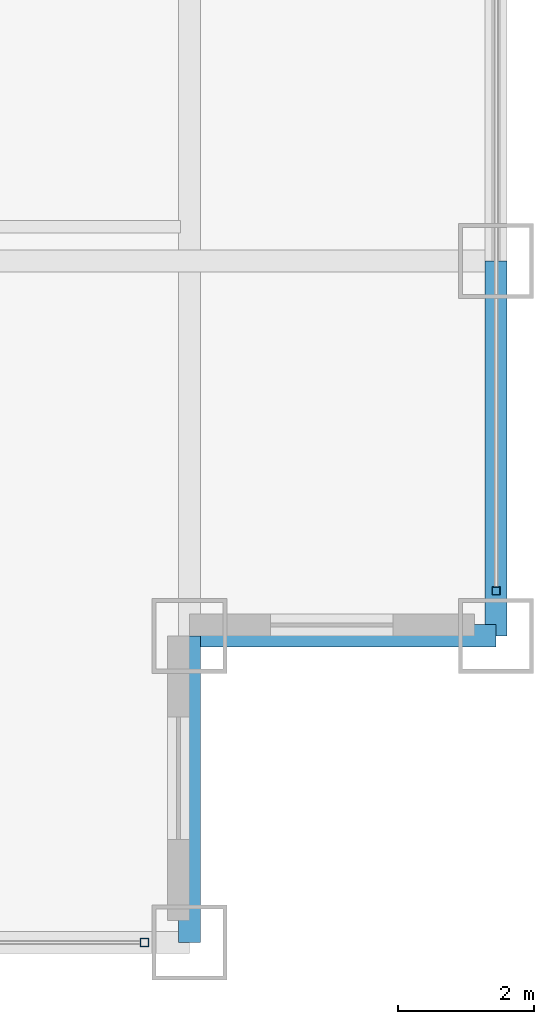
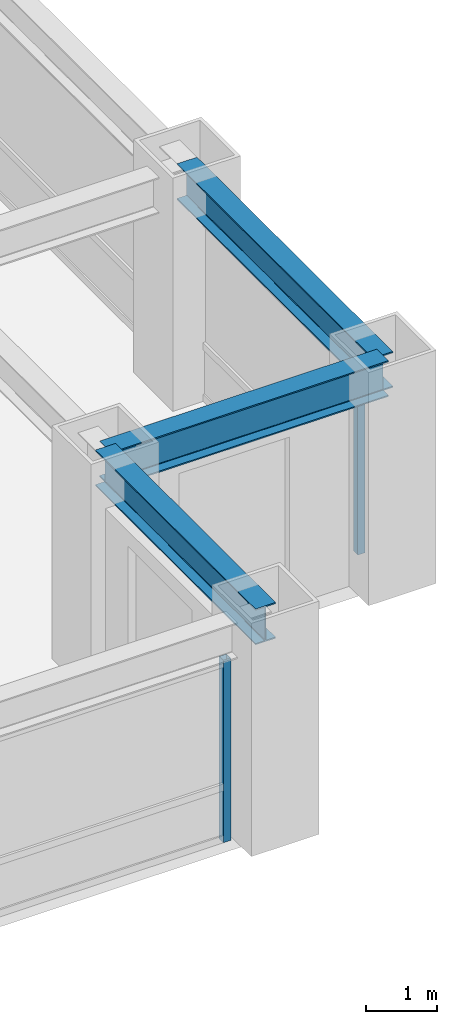
# One storey, part 8 of 24: 3 beams, 2 members, 2 elements without a shape of their own.
"""IFC4 building model written with IfcOpenShell, lengths in metres."""

from ifc_helpers import new_model, si_unit, direction, frame, origin, origin_2d, place, context, subcontext, project, spatial, hollow_rectangle, i_section, extrude, source, transform, mapped, material, material_profile, profile_set, type_object, element, aggregate, save


model = new_model("IFC4")

# Units and contexts
model_context = context("Model", 3, precision=1e-05, world=origin(), true_north=direction((0.0, 1.0)))
body_context = subcontext(model_context, "Body", "Model", "MODEL_VIEW")
ifc_project = project(units=[si_unit("LENGTHUNIT", "METRE"), si_unit("AREAUNIT", "SQUARE_METRE"), si_unit("VOLUMEUNIT", "CUBIC_METRE"), si_unit("PLANEANGLEUNIT", "RADIAN"), si_unit("MASSUNIT", "GRAM", prefix="KILO")], contexts=[model_context])

# Site, building, storey
site_placement = place(None, origin())
site = spatial("IfcSite", under=ifc_project, at=site_placement, CompositionType="ELEMENT")
building_placement = place(site_placement, origin())
building = spatial("IfcBuilding", under=site, at=building_placement, Name="Khorayat Bourse Tower", CompositionType="ELEMENT")
storey_placement = place(building_placement, frame((0.0, 0.0, 163.10009765625)))
storey = spatial("IfcBuildingStorey", under=building, at=storey_placement, Name="L37", CompositionType="ELEMENT", Elevation=163.10009765625)

# Beams
ifc_material_1 = material(Name="Steel ASTM A992 Grade 50", Category="steel")
ifc_material_profile_1 = material_profile(ifc_material_1, i_section(OverallWidth=0.324951171875, OverallDepth=0.615966796875, WebThickness=0.013916015625, FlangeThickness=0.021484375, FilletRadius=0.01611328125, at=origin_2d()), Name="W610X174")
ifc_profile_set_1 = profile_set([ifc_material_profile_1], Name="Steel ASTM A992 Grade 50")
beam_type = type_object("IfcBeamType", Name="BM-SPAN-610", PredefinedType="SPANDREL", material=ifc_profile_set_1)
shared_shape_1 = source(origin(), body_context, "Body", "SweptSolid", [
    extrude(i_section(OverallWidth=0.324951171875, OverallDepth=0.615966796875, WebThickness=0.013916015625, FlangeThickness=0.021484375, FilletRadius=0.01611328125, at=origin_2d()), origin(), (0.0, 0.0, 1.0), 5.5),
])
beam_placement = place(storey_placement, frame((30.0, -25.5, 3.471923828125), z_axis=(0.0, 1.0, 0.0), x_axis=(-1.0, 0.0, 0.0)))
element("IfcBeam", 1, at=beam_placement, inside=storey, type_object=beam_type, Name="L37 BM-SPAN-610 BM-L37-SPN-034", PredefinedType="SPANDREL", context=body_context, shape_type="MappedRepresentation", body=[
    mapped(shared_shape_1, transform((0.0, 0.0, 0.0), scale=1.0)),
])
shared_shape_2 = source(origin(), body_context, "Body", "SweptSolid", [
    extrude(i_section(OverallWidth=0.324951171875, OverallDepth=0.615966796875, WebThickness=0.013916015625, FlangeThickness=0.021484375, FilletRadius=0.01611328125, at=origin_2d()), origin(), (0.0, 0.0, 1.0), 4.5),
])
for number, where, z_axis, x_axis, name in (
    (2, (25.5, -30.0, 3.471923828125), (0.0, 1.0, 0.0), (-1.0, 0.0, 0.0), "L37 BM-SPAN-610 BM-L37-SPN-032"),
    (3, (25.5, -25.5, 3.471923828125), (1.0, 0.0, 0.0), (0.0, 1.0, 0.0), "L37 BM-SPAN-610 BM-L37-SPN-033"),
):
    element("IfcBeam", number, at=place(storey_placement, frame(where, z_axis=z_axis, x_axis=x_axis)), inside=storey, type_object=beam_type, Name=name, PredefinedType="SPANDREL", context=body_context, shape_type="MappedRepresentation", body=[
        mapped(shared_shape_2, transform((0.0, 0.0, 0.0), scale=1.0)),
    ])

# Curtain wall, member
ifc_material_2 = material(Name="Aluminium EN AW-6063 T6", Category="aluminium")
curtain_wall_type = type_object("IfcCurtainWallType", Name="CW-SYS-03", PredefinedType="NOTDEFINED", material=ifc_material_2)
curtain_wall_1_placement = place(storey_placement, origin())
curtain_wall_1 = element("IfcCurtainWall", 4, at=curtain_wall_1_placement, inside=storey, type_object=curtain_wall_type, Name="L37 Curtain Wall CW-L37-S1", PredefinedType="NOTDEFINED")
ifc_material_profile_2 = material_profile(ifc_material_2, hollow_rectangle(XDim=0.1201171875, YDim=0.1201171875, WallThickness=0.0048828125, at=origin_2d()), Name="ALU 120x120x5")
ifc_profile_set_2 = profile_set([ifc_material_profile_2], Name="Aluminium EN AW-6063 T6")
member_type = type_object("IfcMemberType", Name="CWM-VERT-120", PredefinedType="MULLION", material=ifc_profile_set_2)
shared_shape_3 = source(origin(), body_context, "Body", "SweptSolid", [
    extrude(hollow_rectangle(XDim=0.1201171875, YDim=0.1201171875, WallThickness=0.0048828125, at=origin_2d()), origin(), (0.0, 0.0, 1.0), 3.1298828125),
])
member_1_placement = place(storey_placement, frame((24.840087890625, -30.0, 0.0), z_axis=(0.0, 0.0, 1.0), x_axis=(0.0, 1.0, 0.0)))
member_1 = element("IfcMember", 5, at=member_1_placement, type_object=member_type, Name="CW-L37-S1 Vertical Mullion 3", PredefinedType="MULLION", context=body_context, shape_type="MappedRepresentation", body=[
    mapped(shared_shape_3, transform((0.0, 0.0, 0.0), scale=1.0)),
])
aggregate(curtain_wall_1, [member_1])

curtain_wall_2_placement = place(storey_placement, origin())
curtain_wall_2 = element("IfcCurtainWall", 6, at=curtain_wall_2_placement, inside=storey, type_object=curtain_wall_type, Name="L37 Curtain Wall CW-L37-E1", PredefinedType="NOTDEFINED")
member_2_placement = place(storey_placement, frame((30.0, -24.840087890625, 0.0), z_axis=(0.0, 0.0, 1.0), x_axis=(-1.0, 0.0, 0.0)))
member_2 = element("IfcMember", 7, at=member_2_placement, type_object=member_type, Name="CW-L37-E1 Vertical Mullion 1", PredefinedType="MULLION", context=body_context, shape_type="MappedRepresentation", body=[
    mapped(shared_shape_3, transform((0.0, 0.0, 0.0), scale=1.0)),
])
aggregate(curtain_wall_2, [member_2])

save(model, "model.ifc")
